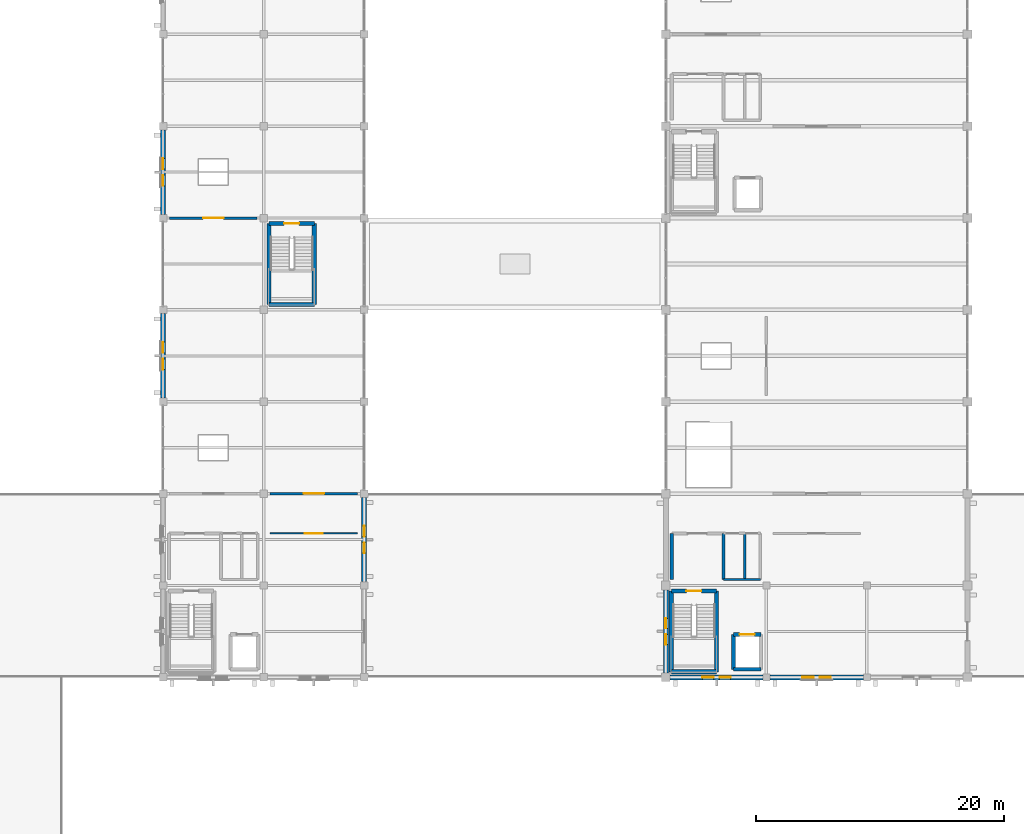
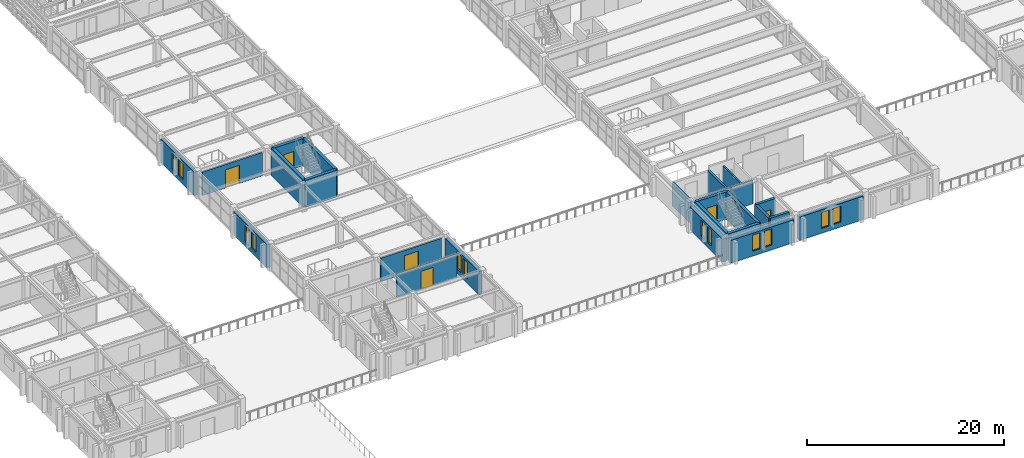
# One storey, part 102 of 121: 24 walls, 12 windows, 6 doors, 18 openings.
"""IFC4 building model written with IfcOpenShell, lengths in metres."""

import ifcopenshell
import ifcopenshell.guid

model = None  # the IFC model being written
_history = None  # IfcOwnerHistory: only IFC2X3 demands one
_inside = {}  # id of a spatial element -> (the spatial element, [elements in it])
_under = {}  # id of a project, library or spatial element -> (it, [spatial elements below it])
_declared = {}  # id of a project -> (the project, [libraries it declares])
_typed = {}  # id of a type object -> (the type object, [elements of that type])
_made_of = {}  # id of a material, layer set ... -> (it, [elements and type objects made of it])


def new_model(schema):
    """Start an empty IFC model of exactly this schema.

    Asked for "IFC4X3", IfcOpenShell would pick the latest addendum, in which some entities
    have other attributes; the version numbers below select the first issue.
    IFC2X3 requires an IfcOwnerHistory on every rooted entity: one is made here for all.
    """
    global model, _history
    if schema == "IFC4X3":
        model = ifcopenshell.file(schema_version=(4, 3, 0, 0))
    else:
        model = ifcopenshell.file(schema=schema)
    _inside.clear()
    _under.clear()
    _declared.clear()
    _typed.clear()
    _made_of.clear()
    _history = None
    if model.schema == "IFC2X3":
        org = make("IfcOrganization", Name="unknown")
        user = make(
            "IfcPersonAndOrganization",
            ThePerson=make("IfcPerson", FamilyName="unknown"),
            TheOrganization=org,
        )
        app = make(
            "IfcApplication",
            ApplicationDeveloper=org,
            Version="unknown",
            ApplicationFullName="unknown",
            ApplicationIdentifier="unknown",
        )
        _history = make(
            "IfcOwnerHistory",
            OwningUser=user,
            OwningApplication=app,
            ChangeAction="ADDED",
            CreationDate=0,
        )
    return model


def make(cls, **values):
    """One entity of the class cls with the attributes given. An attribute that is None is left unset."""
    return model.create_entity(
        cls, **{name: value for name, value in values.items() if value is not None}
    )


def rooted(cls, **values):
    """An entity with a GlobalId (a new one), such as an element, a storey or a relation."""
    return make(cls, GlobalId=ifcopenshell.guid.new(), OwnerHistory=_history, **values)


def si_unit(unit_type, name, prefix=None):
    """IfcSIUnit, for example si_unit("LENGTHUNIT", "METRE", prefix="MILLI")."""
    return make("IfcSIUnit", UnitType=unit_type, Prefix=prefix, Name=name)


def assignment(units):
    """IfcUnitAssignment: the units of a project."""
    return None if units is None else make("IfcUnitAssignment", Units=units)


def point(xyz):
    """IfcCartesianPoint."""
    return None if xyz is None else make("IfcCartesianPoint", Coordinates=xyz)


def direction(xyz):
    """IfcDirection."""
    return None if xyz is None else make("IfcDirection", DirectionRatios=xyz)


def frame(location, z_axis=None, x_axis=None):
    """IfcAxis2Placement3D, a coordinate frame: its origin and axes. An axis left out is left unset."""
    return make(
        "IfcAxis2Placement3D",
        Location=point(location),
        Axis=direction(z_axis),
        RefDirection=direction(x_axis),
    )


def frame_2d(location, x_axis=None):
    """IfcAxis2Placement2D, a coordinate frame in the plane: its origin and x axis."""
    return make(
        "IfcAxis2Placement2D", Location=point(location), RefDirection=direction(x_axis)
    )


def origin():
    """The frame at (0, 0, 0) with its axes left unset."""
    return frame((0.0, 0.0, 0.0))


def place(relative_to, where):
    """IfcLocalPlacement: puts the frame where relative to a parent placement (None: the world)."""
    return make(
        "IfcLocalPlacement", PlacementRelTo=relative_to, RelativePlacement=where
    )


def context(
    kind, dimensions, precision=None, world=None, true_north=None, identifier=None
):
    """IfcGeometricRepresentationContext, for example the 3D "Model" context."""
    return make(
        "IfcGeometricRepresentationContext",
        ContextIdentifier=identifier,
        ContextType=kind,
        CoordinateSpaceDimension=dimensions,
        Precision=precision,
        WorldCoordinateSystem=world,
        TrueNorth=true_north,
    )


def subcontext(parent, identifier, kind, view, scale=None):
    """IfcGeometricRepresentationSubContext, for example "Body" below "Model"."""
    return make(
        "IfcGeometricRepresentationSubContext",
        ContextIdentifier=identifier,
        ContextType=kind,
        ParentContext=parent,
        TargetScale=scale,
        TargetView=view,
    )


def project(units=None, contexts=None):
    """IfcProject with its units and contexts."""
    return rooted(
        "IfcProject",
        Name="project",
        RepresentationContexts=contexts,
        UnitsInContext=assignment(units),
    )


def spatial(cls, under=None, at=None, **own):
    """A site, building, storey or space (cls), placed at a placement, below another one or the project."""
    s = rooted(cls, ObjectPlacement=at, **own)
    if under is not None:
        _under.setdefault(under.id(), (under, []))[1].append(s)
    return s


def profile(cls, at=None, kind="AREA", **sizes):
    """A parametric profile (cls). Its sizes go by their IFC names, for example OverallWidth=200.0."""
    return make(cls, ProfileType=kind, Position=at, **sizes)


def rectangle(**sizes):
    """IfcRectangleProfileDef."""
    return profile("IfcRectangleProfileDef", **sizes)


def extrude(swept, where, along, depth):
    """IfcExtrudedAreaSolid: the profile swept, set in the frame where, extruded along a direction by depth."""
    return make(
        "IfcExtrudedAreaSolid",
        SweptArea=swept,
        Position=where,
        ExtrudedDirection=direction(along),
        Depth=depth,
    )


def shape(context_of_items, identifier, shape_type, items):
    """IfcShapeRepresentation: the items that make up one representation, for example the "Body"."""
    return make(
        "IfcShapeRepresentation",
        ContextOfItems=context_of_items,
        RepresentationIdentifier=identifier,
        RepresentationType=shape_type,
        Items=items,
    )


def material(Name=None, Category=None):
    """IfcMaterial."""
    return make("IfcMaterial", Name=Name, Category=Category)


def layer(
    of_material, thickness, ventilated=None, Name=None, Category=None, Priority=None
):
    """IfcMaterialLayer: one layer of a wall or slab, of a material (None: an air gap)."""
    return make(
        "IfcMaterialLayer",
        Material=of_material,
        LayerThickness=thickness,
        IsVentilated=ventilated,
        Name=Name,
        Category=Category,
        Priority=Priority,
    )


def layer_set(layers, Name=None):
    """IfcMaterialLayerSet."""
    return make("IfcMaterialLayerSet", MaterialLayers=layers, LayerSetName=Name)


def made_of(thing, what):
    """Note that an element or type object is made of a material, layer set ...; save() writes the relation."""
    if what is not None:
        _made_of.setdefault(what.id(), (what, []))[1].append(thing)
    return thing


def type_object(cls, material=None, **own):
    """A type object (cls), such as IfcWallType, which elements share."""
    return made_of(rooted(cls, **own), material)


def element(
    cls,
    number,
    at=None,
    inside=None,
    cuts=None,
    type_object=None,
    material=None,
    context=None,
    identifier="Body",
    shape_type=None,
    held_by="IfcProductDefinitionShape",
    body=None,
    shapes=None,
    **own,
):
    """One element of the class cls, such as IfcWall. Its Tag is "e" and its number.

    at: its placement. inside: the storey or other place that contains it. cuts: it is an
    opening in that element (IfcRelVoidsElement). A single representation is given by context,
    identifier, shape_type and body (its items); several are given by shapes. held_by: the class
    of the entity that holds the representations. save() writes the other relations.
    """
    e = rooted(cls, Tag="e%d" % number, ObjectPlacement=at, **own)
    if body is not None:
        shapes = [shape(context, identifier, shape_type, body)]
    if shapes is not None:
        e.Representation = make(held_by, Representations=shapes)
    if inside is not None:
        _inside.setdefault(inside.id(), (inside, []))[1].append(e)
    if cuts is not None:
        rooted(
            "IfcRelVoidsElement", RelatingBuildingElement=cuts, RelatedOpeningElement=e
        )
    if type_object is not None:
        _typed.setdefault(type_object.id(), (type_object, []))[1].append(e)
    return made_of(e, material)


def fill(opening, filler):
    """IfcRelFillsElement: the door or window that sits in an opening."""
    return rooted(
        "IfcRelFillsElement",
        RelatingOpeningElement=opening,
        RelatedBuildingElement=filler,
    )


def aggregate(whole, parts):
    """IfcRelAggregates: a whole, such as a stair, and the parts it consists of."""
    return rooted("IfcRelAggregates", RelatingObject=whole, RelatedObjects=parts)


def save(model, path):
    """Write the relations noted so far, then the file.

    IfcRelAggregates (storeys below a building ...), IfcRelContainedInSpatialStructure (elements
    in a storey), IfcRelDefinesByType, IfcRelAssociatesMaterial and IfcRelDeclares: one each for
    every whole, place, type object, material and project.
    """
    for whole, parts in _under.values():
        aggregate(whole, parts)
    for where, things in _inside.values():
        rooted(
            "IfcRelContainedInSpatialStructure",
            RelatedElements=things,
            RelatingStructure=where,
        )
    for kind, things in _typed.values():
        rooted("IfcRelDefinesByType", RelatedObjects=things, RelatingType=kind)
    for what, things in _made_of.values():
        rooted("IfcRelAssociatesMaterial", RelatedObjects=things, RelatingMaterial=what)
    for by, libraries in _declared.values():
        rooted("IfcRelDeclares", RelatingContext=by, RelatedDefinitions=libraries)
    model.write(path)


model = new_model("IFC4")

# Units and contexts
model_context = context("Model", 3, precision=1e-05, world=origin(), true_north=direction((0.0, 1.0)))
body_context = subcontext(model_context, "Body", "Model", "MODEL_VIEW")
ifc_project = project(units=[si_unit("LENGTHUNIT", "METRE"), si_unit("AREAUNIT", "SQUARE_METRE"), si_unit("VOLUMEUNIT", "CUBIC_METRE"), si_unit("PLANEANGLEUNIT", "RADIAN"), si_unit("MASSUNIT", "GRAM", prefix="KILO")], contexts=[model_context])

# Site, building, storey
site_placement = place(None, origin())
site = spatial("IfcSite", under=ifc_project, at=site_placement, CompositionType="ELEMENT")
building_placement = place(site_placement, origin())
building = spatial("IfcBuilding", under=site, at=building_placement, Name="Cimatlan Art Gallery", CompositionType="ELEMENT")
storey_placement = place(building_placement, frame((0.0, 0.0, 10.199951171875)))
storey = spatial("IfcBuildingStorey", under=building, at=storey_placement, Name="L02", CompositionType="ELEMENT", Elevation=10.199951171875)

# Walls
ifc_material_1 = material(Name="Concrete C40/50", Category="concrete")
ifc_layer_1 = layer(ifc_material_1, 0.31005859375)
ifc_layer_set_1 = layer_set([ifc_layer_1], Name="Concrete C40/50")
wall_type_1 = type_object("IfcWallType", Name="W-CORE-310", PredefinedType="SHEAR", material=ifc_layer_set_1)
wall_1_placement = place(storey_placement, frame((80.35009765625, 24.550048828125, 0.0), z_axis=(0.0, 0.0, 1.0), x_axis=(0.0, 1.0, 0.0)))
element("IfcWall", 1, at=wall_1_placement, inside=storey, type_object=wall_type_1, Name="WL-SHFT-C3-L02-LW", PredefinedType="SHEAR", context=body_context, shape_type="SweptSolid", body=[
    extrude(rectangle(XDim=2.800048828125, YDim=0.31005859375, at=frame_2d((1.39990234375, 0.0))), origin(), (0.0, 0.0, 1.0), 3.364990234375),
])
wall_2_placement = place(storey_placement, frame((80.35009765625, 24.550048828125, 0.0), z_axis=(0.0, 0.0, 1.0), x_axis=(1.0, 0.0, 0.0)))
element("IfcWall", 2, at=wall_2_placement, inside=storey, type_object=wall_type_1, Name="WL-SHFT-C3-L02-LS", PredefinedType="SHEAR", context=body_context, shape_type="SweptSolid", body=[
    extrude(rectangle(XDim=2.199951171875, YDim=0.31005859375, at=frame_2d((1.10009765625, 0.0))), origin(), (0.0, 0.0, 1.0), 3.364990234375),
])

# Wall, opening, door
wall_3_placement = place(storey_placement, frame((80.35009765625, 27.35009765625, 0.0), z_axis=(0.0, 0.0, 1.0), x_axis=(1.0, 0.0, 0.0)))
wall_3 = element("IfcWall", 3, at=wall_3_placement, inside=storey, type_object=wall_type_1, Name="WL-SHFT-C3-L02-LN", PredefinedType="SHEAR", context=body_context, shape_type="SweptSolid", body=[
    extrude(rectangle(XDim=2.199951171875, YDim=0.31005859375, at=frame_2d((1.10009765625, 0.0))), origin(), (0.0, 0.0, 1.0), 3.364990234375),
])
opening_1_placement = place(wall_3_placement, frame((0.5, 0.0, 0.0)))
opening_1 = element("IfcOpeningElement", 4, at=opening_1_placement, cuts=wall_3, Name="Opening LD-C3-L02", PredefinedType="OPENING", context=body_context, shape_type="SweptSolid", body=[
    extrude(rectangle(XDim=1.199951171875, YDim=2.14990234375, at=frame_2d((0.60009765625, 1.074951171875))), frame((0.0, 0.1650390625, 0.0), z_axis=(0.0, -1.0, 0.0), x_axis=(1.0, 0.0, 0.0)), (0.0, 0.0, 1.0), 0.330078125),
])
ifc_material_2 = material(Name="Fire-rated sliding firefighting lift landing door")
door_type_1 = type_object("IfcDoorType", Name="LD-FF-1200", OperationType="NOTDEFINED", PredefinedType="DOOR", material=ifc_material_2)
door_1_placement = place(opening_1_placement, origin())
door_1 = element("IfcDoor", 5, at=door_1_placement, inside=storey, type_object=door_type_1, Name="LD-FFL-02-L02", OperationType="SLIDING_TO_RIGHT", OverallHeight=2.14990234375, OverallWidth=1.199951171875, PredefinedType="DOOR", context=body_context, shape_type="SweptSolid", body=[
    extrude(rectangle(XDim=1.199951171875, YDim=2.14990234375, at=frame_2d((0.60009765625, 1.074951171875))), frame((0.0, 0.02490234375, 0.0), z_axis=(0.0, -1.0, 0.0), x_axis=(1.0, 0.0, 0.0)), (0.0, 0.0, 1.0), 0.050048828125),
])
fill(opening_1, door_1)

# Walls
ifc_layer_2 = layer(ifc_material_1, 0.35009765625)
ifc_layer_set_2 = layer_set([ifc_layer_2], Name="Concrete C40/50")
wall_type_2 = type_object("IfcWallType", Name="W-CORE-350", PredefinedType="SHEAR", material=ifc_layer_set_2)
wall_4_placement = place(storey_placement, frame((75.340087890625, 24.340087890625, 0.0), z_axis=(0.0, 0.0, 1.0), x_axis=(0.0, 1.0, 0.0)))
element("IfcWall", 6, at=wall_4_placement, inside=storey, type_object=wall_type_2, Name="WL-CORE-C3-L02-SW", PredefinedType="SHEAR", context=body_context, shape_type="SweptSolid", body=[
    extrude(rectangle(XDim=6.52001953125, YDim=0.35009765625, at=frame_2d((3.260009765625, 0.0))), origin(), (0.0, 0.0, 1.0), 3.364990234375),
])
wall_5_placement = place(storey_placement, frame((75.340087890625, 24.340087890625, 0.0), z_axis=(0.0, 0.0, 1.0), x_axis=(1.0, 0.0, 0.0)))
element("IfcWall", 7, at=wall_5_placement, inside=storey, type_object=wall_type_2, Name="WL-CORE-C3-L02-SS", PredefinedType="SHEAR", context=body_context, shape_type="SweptSolid", body=[
    extrude(rectangle(XDim=3.639892578125, YDim=0.35009765625, at=frame_2d((1.81982421875, 0.0))), origin(), (0.0, 0.0, 1.0), 3.364990234375),
])
wall_6_placement = place(storey_placement, frame((78.97998046875, 24.340087890625, 0.0), z_axis=(0.0, 0.0, 1.0), x_axis=(0.0, 1.0, 0.0)))
element("IfcWall", 8, at=wall_6_placement, inside=storey, type_object=wall_type_2, Name="WL-CORE-C3-L02-SE", PredefinedType="SHEAR", context=body_context, shape_type="SweptSolid", body=[
    extrude(rectangle(XDim=6.52001953125, YDim=0.35009765625, at=frame_2d((3.260009765625, 0.0))), origin(), (0.0, 0.0, 1.0), 3.364990234375),
])

# Wall, opening, door
wall_7_placement = place(storey_placement, frame((75.340087890625, 30.860107421875, 0.0), z_axis=(0.0, 0.0, 1.0), x_axis=(1.0, 0.0, 0.0)))
wall_7 = element("IfcWall", 9, at=wall_7_placement, inside=storey, type_object=wall_type_2, Name="WL-CORE-C3-L02-SN", PredefinedType="SHEAR", context=body_context, shape_type="SweptSolid", body=[
    extrude(rectangle(XDim=3.639892578125, YDim=0.35009765625, at=frame_2d((1.81982421875, 0.0))), origin(), (0.0, 0.0, 1.0), 3.364990234375),
])
opening_2_placement = place(wall_7_placement, frame((1.219970703125, 0.0, 0.0)))
opening_2 = element("IfcOpeningElement", 10, at=opening_2_placement, cuts=wall_7, Name="Opening FD-C3-L02", PredefinedType="OPENING", context=body_context, shape_type="SweptSolid", body=[
    extrude(rectangle(XDim=1.199951171875, YDim=2.14990234375, at=frame_2d((0.60009765625, 1.074951171875))), frame((0.0, 0.18505859375, 0.0), z_axis=(0.0, -1.0, 0.0), x_axis=(1.0, 0.0, 0.0)), (0.0, 0.0, 1.0), 0.3701171875),
])
ifc_material_3 = material(Name="Fire-resisting steel acoustic stair door", Category="steel")
door_type_2 = type_object("IfcDoorType", Name="FD-ST-1200", OperationType="NOTDEFINED", PredefinedType="DOOR", material=ifc_material_3)
door_2_placement = place(opening_2_placement, origin())
door_2 = element("IfcDoor", 11, at=door_2_placement, inside=storey, type_object=door_type_2, Name="DR-C3-L02-ST", OperationType="SINGLE_SWING_LEFT", OverallHeight=2.14990234375, OverallWidth=1.199951171875, PredefinedType="DOOR", context=body_context, shape_type="SweptSolid", body=[
    extrude(rectangle(XDim=1.199951171875, YDim=2.14990234375, at=frame_2d((0.60009765625, 1.074951171875))), frame((0.0, 0.02490234375, 0.0), z_axis=(0.0, -1.0, 0.0), x_axis=(1.0, 0.0, 0.0)), (0.0, 0.0, 1.0), 0.050048828125),
])
fill(opening_2, door_2)

# Walls
wall_8_placement = place(storey_placement, frame((42.93994140625, 53.93994140625, 0.0), z_axis=(0.0, 0.0, 1.0), x_axis=(0.0, 1.0, 0.0)))
element("IfcWall", 12, at=wall_8_placement, inside=storey, type_object=wall_type_2, Name="WL-CORE-C8-L02-SW", PredefinedType="SHEAR", context=body_context, shape_type="SweptSolid", body=[
    extrude(rectangle(XDim=6.52001953125, YDim=0.35009765625, at=frame_2d((3.260009765625, 0.0))), origin(), (0.0, 0.0, 1.0), 3.364990234375),
])
wall_9_placement = place(storey_placement, frame((42.93994140625, 53.93994140625, 0.0), z_axis=(0.0, 0.0, 1.0), x_axis=(1.0, 0.0, 0.0)))
element("IfcWall", 13, at=wall_9_placement, inside=storey, type_object=wall_type_2, Name="WL-CORE-C8-L02-SS", PredefinedType="SHEAR", context=body_context, shape_type="SweptSolid", body=[
    extrude(rectangle(XDim=3.64013671875, YDim=0.35009765625, at=frame_2d((1.820068359375, 0.0))), origin(), (0.0, 0.0, 1.0), 3.364990234375),
])
wall_10_placement = place(storey_placement, frame((46.580078125, 53.93994140625, 0.0), z_axis=(0.0, 0.0, 1.0), x_axis=(0.0, 1.0, 0.0)))
element("IfcWall", 14, at=wall_10_placement, inside=storey, type_object=wall_type_2, Name="WL-CORE-C8-L02-SE", PredefinedType="SHEAR", context=body_context, shape_type="SweptSolid", body=[
    extrude(rectangle(XDim=6.52001953125, YDim=0.35009765625, at=frame_2d((3.260009765625, 0.0))), origin(), (0.0, 0.0, 1.0), 3.364990234375),
])

# Wall, opening, door
wall_11_placement = place(storey_placement, frame((42.93994140625, 60.4599609375, 0.0), z_axis=(0.0, 0.0, 1.0), x_axis=(1.0, 0.0, 0.0)))
wall_11 = element("IfcWall", 15, at=wall_11_placement, inside=storey, type_object=wall_type_2, Name="WL-CORE-C8-L02-SN", PredefinedType="SHEAR", context=body_context, shape_type="SweptSolid", body=[
    extrude(rectangle(XDim=3.64013671875, YDim=0.35009765625, at=frame_2d((1.820068359375, 0.0))), origin(), (0.0, 0.0, 1.0), 3.364990234375),
])
opening_3_placement = place(wall_11_placement, frame((1.219970703125, 0.0, 0.0)))
opening_3 = element("IfcOpeningElement", 16, at=opening_3_placement, cuts=wall_11, Name="Opening FD-C8-L02", PredefinedType="OPENING", context=body_context, shape_type="SweptSolid", body=[
    extrude(rectangle(XDim=1.199951171875, YDim=2.14990234375, at=frame_2d((0.60009765625, 1.074951171875))), frame((0.0, 0.18505859375, 0.0), z_axis=(0.0, -1.0, 0.0), x_axis=(1.0, 0.0, 0.0)), (0.0, 0.0, 1.0), 0.3701171875),
])
door_3_placement = place(opening_3_placement, origin())
door_3 = element("IfcDoor", 17, at=door_3_placement, inside=storey, type_object=door_type_2, Name="DR-C8-L02-ST", OperationType="SINGLE_SWING_LEFT", OverallHeight=2.14990234375, OverallWidth=1.199951171875, PredefinedType="DOOR", context=body_context, shape_type="SweptSolid", body=[
    extrude(rectangle(XDim=1.199951171875, YDim=2.14990234375, at=frame_2d((0.60009765625, 1.074951171875))), frame((0.0, 0.02490234375, 0.0), z_axis=(0.0, -1.0, 0.0), x_axis=(1.0, 0.0, 0.0)), (0.0, 0.0, 1.0), 0.050048828125),
])
fill(opening_3, door_3)

# Walls
ifc_material_4 = material(Name="Precast concrete C40/50", Category="concrete")
ifc_layer_3 = layer(ifc_material_4, 0.2451171875)
ifc_layer_set_3 = layer_set([ifc_layer_3], Name="Precast concrete C40/50")
wall_type_3 = type_object("IfcWallType", Name="W-FFL-245", PredefinedType="PARTITIONING", material=ifc_layer_set_3)
wall_12_placement = place(storey_placement, frame((75.3798828125, 31.780029296875, 0.0), z_axis=(0.0, 0.0, 1.0), x_axis=(0.0, 1.0, 0.0)))
element("IfcWall", 18, at=wall_12_placement, inside=storey, type_object=wall_type_3, Name="WL-LOB-C3-L02-W", PredefinedType="PARTITIONING", context=body_context, shape_type="SweptSolid", body=[
    extrude(rectangle(XDim=3.719970703125, YDim=0.2451171875, at=frame_2d((1.85986328125, 0.0))), origin(), (0.0, 0.0, 1.0), 2.8271484375),
])
wall_13_placement = place(storey_placement, frame((79.550048828125, 31.780029296875, 0.0), z_axis=(0.0, 0.0, 1.0), x_axis=(0.0, 1.0, 0.0)))
element("IfcWall", 19, at=wall_13_placement, inside=storey, type_object=wall_type_3, Name="WL-LOB-C3-L02-M", PredefinedType="PARTITIONING", context=body_context, shape_type="SweptSolid", body=[
    extrude(rectangle(XDim=3.719970703125, YDim=0.2451171875, at=frame_2d((1.85986328125, 0.0))), origin(), (0.0, 0.0, 1.0), 2.903076171875),
])

# Wall, opening, door
ifc_material_5 = material(Name="Acoustic gypsum and steel stud partition", Category="steel")
ifc_layer_4 = layer(ifc_material_5, 0.205078125)
ifc_layer_set_4 = layer_set([ifc_layer_4], Name="Acoustic gypsum and steel stud partition")
wall_type_4 = type_object("IfcWallType", Name="W-GAL-205", PredefinedType="PARTITIONING", material=ifc_layer_set_4)
wall_14_placement = place(storey_placement, frame((43.02001953125, 38.699951171875, 0.0), z_axis=(0.0, 0.0, 1.0), x_axis=(1.0, 0.0, 0.0)))
wall_14 = element("IfcWall", 20, at=wall_14_placement, inside=storey, type_object=wall_type_4, Name="WL-RM-L02-GAL-W1B", PredefinedType="PARTITIONING", context=body_context, shape_type="SweptSolid", body=[
    extrude(rectangle(XDim=7.06005859375, YDim=0.205078125, at=frame_2d((3.530029296875, 0.0))), origin(), (0.0, 0.0, 1.0), 2.903076171875),
])
opening_4_placement = place(wall_14_placement, frame((2.705078125, 0.0, 0.0)))
opening_4 = element("IfcOpeningElement", 21, at=opening_4_placement, cuts=wall_14, Name="Opening DI-0227", PredefinedType="OPENING", context=body_context, shape_type="SweptSolid", body=[
    extrude(rectangle(XDim=1.64990234375, YDim=2.25, at=frame_2d((0.824951171875, 1.125))), frame((0.0, 0.112548828125, 0.0), z_axis=(0.0, -1.0, 0.0), x_axis=(1.0, 0.0, 0.0)), (0.0, 0.0, 1.0), 0.22509765625),
])
ifc_material_6 = material(Name="European oak gallery double door")
door_type_3 = type_object("IfcDoorType", Name="DI-GL-1650", OperationType="NOTDEFINED", PredefinedType="DOOR", material=ifc_material_6)
door_4_placement = place(opening_4_placement, origin())
door_4 = element("IfcDoor", 22, at=door_4_placement, inside=storey, type_object=door_type_3, Name="DR-RM-L02-GAL-W1B", OperationType="SINGLE_SWING_LEFT", OverallHeight=2.25, OverallWidth=1.64990234375, PredefinedType="DOOR", context=body_context, shape_type="SweptSolid", body=[
    extrude(rectangle(XDim=1.64990234375, YDim=2.25, at=frame_2d((0.824951171875, 1.125))), frame((0.0, 0.02490234375, 0.0), z_axis=(0.0, -1.0, 0.0), x_axis=(1.0, 0.0, 0.0)), (0.0, 0.0, 1.0), 0.050048828125),
])
fill(opening_4, door_4)

wall_15_placement = place(storey_placement, frame((34.919921875, 60.89990234375, 0.0), z_axis=(0.0, 0.0, 1.0), x_axis=(1.0, 0.0, 0.0)))
wall_15 = element("IfcWall", 23, at=wall_15_placement, inside=storey, type_object=wall_type_4, Name="WL-RM-L02-GAL-W2", PredefinedType="PARTITIONING", context=body_context, shape_type="SweptSolid", body=[
    extrude(rectangle(XDim=7.06005859375, YDim=0.205078125, at=frame_2d((3.530029296875, 0.0))), origin(), (0.0, 0.0, 1.0), 2.903076171875),
])
opening_5_placement = place(wall_15_placement, frame((2.705078125, 0.0, 0.0)))
opening_5 = element("IfcOpeningElement", 24, at=opening_5_placement, cuts=wall_15, Name="Opening DI-0228", PredefinedType="OPENING", context=body_context, shape_type="SweptSolid", body=[
    extrude(rectangle(XDim=1.64990234375, YDim=2.25, at=frame_2d((0.824951171875, 1.125))), frame((0.0, 0.112548828125, 0.0), z_axis=(0.0, -1.0, 0.0), x_axis=(1.0, 0.0, 0.0)), (0.0, 0.0, 1.0), 0.22509765625),
])
door_5_placement = place(opening_5_placement, origin())
door_5 = element("IfcDoor", 25, at=door_5_placement, inside=storey, type_object=door_type_3, Name="DR-RM-L02-GAL-W2", OperationType="SINGLE_SWING_RIGHT", OverallHeight=2.25, OverallWidth=1.64990234375, PredefinedType="DOOR", context=body_context, shape_type="SweptSolid", body=[
    extrude(rectangle(XDim=1.64990234375, YDim=2.25, at=frame_2d((0.824951171875, 1.125))), frame((0.0, 0.02490234375, 0.0), z_axis=(0.0, -1.0, 0.0), x_axis=(1.0, 0.0, 0.0)), (0.0, 0.0, 1.0), 0.050048828125),
])
fill(opening_5, door_5)

ifc_material_7 = material(Name="Fire-rated gypsum board and steel stud partition", Category="steel")
ifc_layer_5 = layer(ifc_material_7, 0.139892578125)
ifc_layer_set_5 = layer_set([ifc_layer_5], Name="Fire-rated gypsum board and steel stud partition")
wall_type_5 = type_object("IfcWallType", Name="W-OFF-140", PredefinedType="PARTITIONING", material=ifc_layer_set_5)
wall_16_placement = place(storey_placement, frame((43.02001953125, 35.5, 0.0), z_axis=(0.0, 0.0, 1.0), x_axis=(1.0, 0.0, 0.0)))
wall_16 = element("IfcWall", 26, at=wall_16_placement, inside=storey, type_object=wall_type_5, Name="WL-RM-L02-LIB-W", PredefinedType="PARTITIONING", context=body_context, shape_type="SweptSolid", body=[
    extrude(rectangle(XDim=7.06005859375, YDim=0.139892578125, at=frame_2d((3.530029296875, 0.0))), origin(), (0.0, 0.0, 1.0), 2.903076171875),
])
opening_6_placement = place(wall_16_placement, frame((2.804931640625, 0.0, 0.0)))
opening_6 = element("IfcOpeningElement", 27, at=opening_6_placement, cuts=wall_16, Name="Opening DI-0225", PredefinedType="OPENING", context=body_context, shape_type="SweptSolid", body=[
    extrude(rectangle(XDim=1.449951171875, YDim=2.199951171875, at=frame_2d((0.72509765625, 1.10009765625))), frame((0.0, 0.080078125, 0.0), z_axis=(0.0, -1.0, 0.0), x_axis=(1.0, 0.0, 0.0)), (0.0, 0.0, 1.0), 0.159912109375),
])
ifc_material_8 = material(Name="Glazed bronze art-library door")
door_type_4 = type_object("IfcDoorType", Name="DI-LB-1450", OperationType="NOTDEFINED", PredefinedType="DOOR", material=ifc_material_8)
door_6_placement = place(opening_6_placement, origin())
door_6 = element("IfcDoor", 28, at=door_6_placement, inside=storey, type_object=door_type_4, Name="DR-RM-L02-LIB-W", OperationType="SINGLE_SWING_LEFT", OverallHeight=2.199951171875, OverallWidth=1.449951171875, PredefinedType="DOOR", context=body_context, shape_type="SweptSolid", body=[
    extrude(rectangle(XDim=1.449951171875, YDim=2.199951171875, at=frame_2d((0.72509765625, 1.10009765625))), frame((0.0, 0.02490234375, 0.0), z_axis=(0.0, -1.0, 0.0), x_axis=(1.0, 0.0, 0.0)), (0.0, 0.0, 1.0), 0.050048828125),
])
fill(opening_6, door_6)

# Walls
ifc_material_9 = material(Name="Moisture-resistant fire-rated plumbing wall")
ifc_layer_6 = layer(ifc_material_9, 0.195068359375)
ifc_layer_set_6 = layer_set([ifc_layer_6], Name="Moisture-resistant fire-rated plumbing wall")
wall_type_6 = type_object("IfcWallType", Name="W-PLM-195", PredefinedType="PARTITIONING", material=ifc_layer_set_6)
wall_17_placement = place(storey_placement, frame((81.25, 31.780029296875, 0.0), z_axis=(0.0, 0.0, 1.0), x_axis=(0.0, 1.0, 0.0)))
element("IfcWall", 29, at=wall_17_placement, inside=storey, type_object=wall_type_6, Name="WL-LOB-C3-L02-D", PredefinedType="PARTITIONING", context=body_context, shape_type="SweptSolid", body=[
    extrude(rectangle(XDim=3.719970703125, YDim=0.195068359375, at=frame_2d((1.85986328125, 0.0))), origin(), (0.0, 0.0, 1.0), 2.903076171875),
])
wall_18_placement = place(storey_placement, frame((79.550048828125, 31.780029296875, 0.0), z_axis=(0.0, 0.0, 1.0), x_axis=(1.0, 0.0, 0.0)))
element("IfcWall", 30, at=wall_18_placement, inside=storey, type_object=wall_type_6, Name="WL-LOB-C3-L02-S", PredefinedType="PARTITIONING", context=body_context, shape_type="SweptSolid", body=[
    extrude(rectangle(XDim=2.969970703125, YDim=0.195068359375, at=frame_2d((1.48486328125, 0.0))), origin(), (0.0, 0.0, 1.0), 2.903076171875),
])

# Wall, openings, windows
ifc_layer_7 = layer(ifc_material_4, 0.39990234375)
ifc_layer_set_7 = layer_set([ifc_layer_7], Name="Precast concrete C40/50")
wall_type_7 = type_object("IfcWallType", Name="WL-EXT-CAN-400", PredefinedType="SOLIDWALL", material=ifc_layer_set_7)
wall_19_placement = place(storey_placement, frame((34.39990234375, 46.404052734375, 0.0), z_axis=(0.0, 0.0, 1.0), x_axis=(0.0, 1.0, 0.0)))
wall_19 = element("IfcWall", 31, at=wall_19_placement, inside=storey, type_object=wall_type_7, Name="WL-EXT-L02-04-06-W", PredefinedType="SOLIDWALL", context=body_context, shape_type="SweptSolid", body=[
    extrude(rectangle(XDim=6.7919921875, YDim=0.39990234375, at=frame_2d((3.39599609375, 0.0))), origin(), (0.0, 0.0, 1.0), 2.89794921875),
])
opening_7_placement = place(wall_19_placement, frame((2.2958984375, 0.0, 0.60009765625)))
opening_7 = element("IfcOpeningElement", 32, at=opening_7_placement, cuts=wall_19, Name="Opening WN-0147", PredefinedType="OPENING", context=body_context, shape_type="SweptSolid", body=[
    extrude(rectangle(XDim=0.860107421875, YDim=1.989990234375, at=frame_2d((0.43017578125, 0.9951171875))), frame((0.0, 0.2099609375, 0.0), z_axis=(0.0, -1.0, 0.0), x_axis=(1.0, 0.0, 0.0)), (0.0, 0.0, 1.0), 0.419921875),
])
opening_8_placement = place(wall_19_placement, frame((3.635986328125, 0.0, 0.60009765625)))
opening_8 = element("IfcOpeningElement", 33, at=opening_8_placement, cuts=wall_19, Name="Opening WN-0148", PredefinedType="OPENING", context=body_context, shape_type="SweptSolid", body=[
    extrude(rectangle(XDim=0.860107421875, YDim=1.989990234375, at=frame_2d((0.43017578125, 0.9951171875))), frame((0.0, 0.2099609375, 0.0), z_axis=(0.0, -1.0, 0.0), x_axis=(1.0, 0.0, 0.0)), (0.0, 0.0, 1.0), 0.419921875),
])
ifc_material_10 = material(Name="Low-E laminated double glazing in bronze lancet frame", Category="glass")
window_type_1 = type_object("IfcWindowType", Name="WIN-PAV-W2-0860X1990", PartitioningType="SINGLE_PANEL", PredefinedType="WINDOW", material=ifc_material_10)
window_1_placement = place(opening_7_placement, origin())
window_1 = element("IfcWindow", 34, at=window_1_placement, inside=storey, type_object=window_type_1, Name="WIN-0147", OverallHeight=1.989990234375, OverallWidth=0.860107421875, PartitioningType="SINGLE_PANEL", PredefinedType="WINDOW", context=body_context, shape_type="SweptSolid", body=[
    extrude(rectangle(XDim=0.860107421875, YDim=1.989990234375, at=frame_2d((0.43017578125, 0.9951171875))), frame((0.0, 0.030029296875, 0.0), z_axis=(0.0, -1.0, 0.0), x_axis=(1.0, 0.0, 0.0)), (0.0, 0.0, 1.0), 0.06005859375),
])
fill(opening_7, window_1)
window_2_placement = place(opening_8_placement, origin())
window_2 = element("IfcWindow", 35, at=window_2_placement, inside=storey, type_object=window_type_1, Name="WIN-0148", OverallHeight=1.989990234375, OverallWidth=0.860107421875, PartitioningType="SINGLE_PANEL", PredefinedType="WINDOW", context=body_context, shape_type="SweptSolid", body=[
    extrude(rectangle(XDim=0.860107421875, YDim=1.989990234375, at=frame_2d((0.43017578125, 0.9951171875))), frame((0.0, 0.030029296875, 0.0), z_axis=(0.0, -1.0, 0.0), x_axis=(1.0, 0.0, 0.0)), (0.0, 0.0, 1.0), 0.06005859375),
])
fill(opening_8, window_2)

wall_20_placement = place(storey_placement, frame((34.39990234375, 61.2041015625, 0.0), z_axis=(0.0, 0.0, 1.0), x_axis=(0.0, 1.0, 0.0)))
wall_20 = element("IfcWall", 36, at=wall_20_placement, inside=storey, type_object=wall_type_7, Name="WL-EXT-L02-04-08-W", PredefinedType="SOLIDWALL", context=body_context, shape_type="SweptSolid", body=[
    extrude(rectangle(XDim=6.7919921875, YDim=0.39990234375, at=frame_2d((3.39599609375, 0.0))), origin(), (0.0, 0.0, 1.0), 2.89794921875),
])
opening_9_placement = place(wall_20_placement, frame((2.2958984375, 0.0, 0.60009765625)))
opening_9 = element("IfcOpeningElement", 37, at=opening_9_placement, cuts=wall_20, Name="Opening WN-0149", PredefinedType="OPENING", context=body_context, shape_type="SweptSolid", body=[
    extrude(rectangle(XDim=0.860107421875, YDim=1.989990234375, at=frame_2d((0.43017578125, 0.9951171875))), frame((0.0, 0.2099609375, 0.0), z_axis=(0.0, -1.0, 0.0), x_axis=(1.0, 0.0, 0.0)), (0.0, 0.0, 1.0), 0.419921875),
])
opening_10_placement = place(wall_20_placement, frame((3.635986328125, 0.0, 0.60009765625)))
opening_10 = element("IfcOpeningElement", 38, at=opening_10_placement, cuts=wall_20, Name="Opening WN-0150", PredefinedType="OPENING", context=body_context, shape_type="SweptSolid", body=[
    extrude(rectangle(XDim=0.860107421875, YDim=1.989990234375, at=frame_2d((0.43017578125, 0.9951171875))), frame((0.0, 0.2099609375, 0.0), z_axis=(0.0, -1.0, 0.0), x_axis=(1.0, 0.0, 0.0)), (0.0, 0.0, 1.0), 0.419921875),
])
window_3_placement = place(opening_9_placement, origin())
window_3 = element("IfcWindow", 39, at=window_3_placement, inside=storey, type_object=window_type_1, Name="WIN-0149", OverallHeight=1.989990234375, OverallWidth=0.860107421875, PartitioningType="SINGLE_PANEL", PredefinedType="WINDOW", context=body_context, shape_type="SweptSolid", body=[
    extrude(rectangle(XDim=0.860107421875, YDim=1.989990234375, at=frame_2d((0.43017578125, 0.9951171875))), frame((0.0, 0.030029296875, 0.0), z_axis=(0.0, -1.0, 0.0), x_axis=(1.0, 0.0, 0.0)), (0.0, 0.0, 1.0), 0.06005859375),
])
fill(opening_9, window_3)
window_4_placement = place(opening_10_placement, origin())
window_4 = element("IfcWindow", 40, at=window_4_placement, inside=storey, type_object=window_type_1, Name="WIN-0150", OverallHeight=1.989990234375, OverallWidth=0.860107421875, PartitioningType="SINGLE_PANEL", PredefinedType="WINDOW", context=body_context, shape_type="SweptSolid", body=[
    extrude(rectangle(XDim=0.860107421875, YDim=1.989990234375, at=frame_2d((0.43017578125, 0.9951171875))), frame((0.0, 0.030029296875, 0.0), z_axis=(0.0, -1.0, 0.0), x_axis=(1.0, 0.0, 0.0)), (0.0, 0.0, 1.0), 0.06005859375),
])
fill(opening_10, window_4)

wall_21_placement = place(storey_placement, frame((50.60009765625, 38.39599609375, 0.0), z_axis=(0.0, 0.0, 1.0), x_axis=(0.0, -1.0, 0.0)))
wall_21 = element("IfcWall", 41, at=wall_21_placement, inside=storey, type_object=wall_type_7, Name="WL-EXT-L02-05-04-E", PredefinedType="SOLIDWALL", context=body_context, shape_type="SweptSolid", body=[
    extrude(rectangle(XDim=6.7919921875, YDim=0.39990234375, at=frame_2d((3.39599609375, 0.0))), origin(), (0.0, 0.0, 1.0), 2.89794921875),
])
opening_11_placement = place(wall_21_placement, frame((2.2958984375, 0.0, 0.60009765625)))
opening_11 = element("IfcOpeningElement", 42, at=opening_11_placement, cuts=wall_21, Name="Opening WN-0157", PredefinedType="OPENING", context=body_context, shape_type="SweptSolid", body=[
    extrude(rectangle(XDim=0.860107421875, YDim=2.050048828125, at=frame_2d((0.43017578125, 1.02490234375))), frame((0.0, 0.2099609375, 0.0), z_axis=(0.0, -1.0, 0.0), x_axis=(1.0, 0.0, 0.0)), (0.0, 0.0, 1.0), 0.419921875),
])
opening_12_placement = place(wall_21_placement, frame((3.635986328125, 0.0, 0.60009765625)))
opening_12 = element("IfcOpeningElement", 43, at=opening_12_placement, cuts=wall_21, Name="Opening WN-0158", PredefinedType="OPENING", context=body_context, shape_type="SweptSolid", body=[
    extrude(rectangle(XDim=0.860107421875, YDim=2.050048828125, at=frame_2d((0.43017578125, 1.02490234375))), frame((0.0, 0.2099609375, 0.0), z_axis=(0.0, -1.0, 0.0), x_axis=(1.0, 0.0, 0.0)), (0.0, 0.0, 1.0), 0.419921875),
])
window_type_2 = type_object("IfcWindowType", Name="WIN-E-L02-0860X2050", PartitioningType="SINGLE_PANEL", PredefinedType="WINDOW", material=ifc_material_10)
window_5_placement = place(opening_11_placement, origin())
window_5 = element("IfcWindow", 44, at=window_5_placement, inside=storey, type_object=window_type_2, Name="WIN-0157", OverallHeight=2.050048828125, OverallWidth=0.860107421875, PartitioningType="SINGLE_PANEL", PredefinedType="WINDOW", context=body_context, shape_type="SweptSolid", body=[
    extrude(rectangle(XDim=0.860107421875, YDim=2.050048828125, at=frame_2d((0.43017578125, 1.02490234375))), frame((0.0, 0.030029296875, 0.0), z_axis=(0.0, -1.0, 0.0), x_axis=(1.0, 0.0, 0.0)), (0.0, 0.0, 1.0), 0.06005859375),
])
fill(opening_11, window_5)
window_6_placement = place(opening_12_placement, origin())
window_6 = element("IfcWindow", 45, at=window_6_placement, inside=storey, type_object=window_type_2, Name="WIN-0158", OverallHeight=2.050048828125, OverallWidth=0.860107421875, PartitioningType="SINGLE_PANEL", PredefinedType="WINDOW", context=body_context, shape_type="SweptSolid", body=[
    extrude(rectangle(XDim=0.860107421875, YDim=2.050048828125, at=frame_2d((0.43017578125, 1.02490234375))), frame((0.0, 0.030029296875, 0.0), z_axis=(0.0, -1.0, 0.0), x_axis=(1.0, 0.0, 0.0)), (0.0, 0.0, 1.0), 0.06005859375),
])
fill(opening_12, window_6)

wall_22_placement = place(storey_placement, frame((82.720947265625, 23.89990234375, 0.0), z_axis=(0.0, 0.0, 1.0), x_axis=(-1.0, 0.0, 0.0)))
wall_22 = element("IfcWall", 46, at=wall_22_placement, inside=storey, type_object=wall_type_7, Name="WL-EXT-L02-09-03-S", PredefinedType="SOLIDWALL", context=body_context, shape_type="SweptSolid", body=[
    extrude(rectangle(XDim=7.467041015625, YDim=0.39990234375, at=frame_2d((3.7333984375, 0.0))), origin(), (0.0, 0.0, 1.0), 2.822021484375),
])
opening_13_placement = place(wall_22_placement, frame((2.593505859375, 0.0, 0.60009765625)))
opening_13 = element("IfcOpeningElement", 47, at=opening_13_placement, cuts=wall_22, Name="Opening WN-0159", PredefinedType="OPENING", context=body_context, shape_type="SweptSolid", body=[
    extrude(rectangle(XDim=0.89990234375, YDim=1.97998046875, at=frame_2d((0.449951171875, 0.989990234375))), frame((0.0, 0.2099609375, 0.0), z_axis=(0.0, -1.0, 0.0), x_axis=(1.0, 0.0, 0.0)), (0.0, 0.0, 1.0), 0.419921875),
])
opening_14_placement = place(wall_22_placement, frame((3.973388671875, 0.0, 0.60009765625)))
opening_14 = element("IfcOpeningElement", 48, at=opening_14_placement, cuts=wall_22, Name="Opening WN-0160", PredefinedType="OPENING", context=body_context, shape_type="SweptSolid", body=[
    extrude(rectangle(XDim=0.89990234375, YDim=1.97998046875, at=frame_2d((0.449951171875, 0.989990234375))), frame((0.0, 0.2099609375, 0.0), z_axis=(0.0, -1.0, 0.0), x_axis=(1.0, 0.0, 0.0)), (0.0, 0.0, 1.0), 0.419921875),
])
window_type_3 = type_object("IfcWindowType", Name="WIN-S-L02-0900X1980", PartitioningType="SINGLE_PANEL", PredefinedType="WINDOW", material=ifc_material_10)
window_7_placement = place(opening_13_placement, origin())
window_7 = element("IfcWindow", 49, at=window_7_placement, inside=storey, type_object=window_type_3, Name="WIN-0159", OverallHeight=1.97998046875, OverallWidth=0.89990234375, PartitioningType="SINGLE_PANEL", PredefinedType="WINDOW", context=body_context, shape_type="SweptSolid", body=[
    extrude(rectangle(XDim=0.89990234375, YDim=1.97998046875, at=frame_2d((0.449951171875, 0.989990234375))), frame((0.0, 0.030029296875, 0.0), z_axis=(0.0, -1.0, 0.0), x_axis=(1.0, 0.0, 0.0)), (0.0, 0.0, 1.0), 0.06005859375),
])
fill(opening_13, window_7)
window_8_placement = place(opening_14_placement, origin())
window_8 = element("IfcWindow", 50, at=window_8_placement, inside=storey, type_object=window_type_3, Name="WIN-0160", OverallHeight=1.97998046875, OverallWidth=0.89990234375, PartitioningType="SINGLE_PANEL", PredefinedType="WINDOW", context=body_context, shape_type="SweptSolid", body=[
    extrude(rectangle(XDim=0.89990234375, YDim=1.97998046875, at=frame_2d((0.449951171875, 0.989990234375))), frame((0.0, 0.030029296875, 0.0), z_axis=(0.0, -1.0, 0.0), x_axis=(1.0, 0.0, 0.0)), (0.0, 0.0, 1.0), 0.06005859375),
])
fill(opening_14, window_8)

wall_23_placement = place(storey_placement, frame((74.89990234375, 24.25390625, 0.0), z_axis=(0.0, 0.0, 1.0), x_axis=(0.0, 1.0, 0.0)))
wall_23 = element("IfcWall", 51, at=wall_23_placement, inside=storey, type_object=wall_type_7, Name="WL-EXT-L02-09-03-W", PredefinedType="SOLIDWALL", context=body_context, shape_type="SweptSolid", body=[
    extrude(rectangle(XDim=6.692138671875, YDim=0.39990234375, at=frame_2d((3.34619140625, 0.0))), origin(), (0.0, 0.0, 1.0), 2.822021484375),
])
opening_15_placement = place(wall_23_placement, frame((2.285888671875, 0.0, 0.60009765625)))
opening_15 = element("IfcOpeningElement", 52, at=opening_15_placement, cuts=wall_23, Name="Opening WN-0161", PredefinedType="OPENING", context=body_context, shape_type="SweptSolid", body=[
    extrude(rectangle(XDim=0.820068359375, YDim=2.0, at=frame_2d((0.41015625, 1.0))), frame((0.0, 0.2099609375, 0.0), z_axis=(0.0, -1.0, 0.0), x_axis=(1.0, 0.0, 0.0)), (0.0, 0.0, 1.0), 0.419921875),
])
opening_16_placement = place(wall_23_placement, frame((3.5859375, 0.0, 0.60009765625)))
opening_16 = element("IfcOpeningElement", 53, at=opening_16_placement, cuts=wall_23, Name="Opening WN-0162", PredefinedType="OPENING", context=body_context, shape_type="SweptSolid", body=[
    extrude(rectangle(XDim=0.820068359375, YDim=2.0, at=frame_2d((0.41015625, 1.0))), frame((0.0, 0.2099609375, 0.0), z_axis=(0.0, -1.0, 0.0), x_axis=(1.0, 0.0, 0.0)), (0.0, 0.0, 1.0), 0.419921875),
])
window_type_4 = type_object("IfcWindowType", Name="WIN-W-L02-0820X2000", PartitioningType="SINGLE_PANEL", PredefinedType="WINDOW", material=ifc_material_10)
window_9_placement = place(opening_15_placement, origin())
window_9 = element("IfcWindow", 54, at=window_9_placement, inside=storey, type_object=window_type_4, Name="WIN-0161", OverallHeight=2.0, OverallWidth=0.820068359375, PartitioningType="SINGLE_PANEL", PredefinedType="WINDOW", context=body_context, shape_type="SweptSolid", body=[
    extrude(rectangle(XDim=0.820068359375, YDim=2.0, at=frame_2d((0.41015625, 1.0))), frame((0.0, 0.030029296875, 0.0), z_axis=(0.0, -1.0, 0.0), x_axis=(1.0, 0.0, 0.0)), (0.0, 0.0, 1.0), 0.06005859375),
])
fill(opening_15, window_9)
window_10_placement = place(opening_16_placement, origin())
window_10 = element("IfcWindow", 55, at=window_10_placement, inside=storey, type_object=window_type_4, Name="WIN-0162", OverallHeight=2.0, OverallWidth=0.820068359375, PartitioningType="SINGLE_PANEL", PredefinedType="WINDOW", context=body_context, shape_type="SweptSolid", body=[
    extrude(rectangle(XDim=0.820068359375, YDim=2.0, at=frame_2d((0.41015625, 1.0))), frame((0.0, 0.030029296875, 0.0), z_axis=(0.0, -1.0, 0.0), x_axis=(1.0, 0.0, 0.0)), (0.0, 0.0, 1.0), 0.06005859375),
])
fill(opening_16, window_10)

wall_24_placement = place(storey_placement, frame((90.821044921875, 23.89990234375, 0.0), z_axis=(0.0, 0.0, 1.0), x_axis=(-1.0, 0.0, 0.0)))
wall_24 = element("IfcWall", 56, at=wall_24_placement, inside=storey, type_object=wall_type_7, Name="WL-EXT-L02-10-03-S", PredefinedType="SOLIDWALL", context=body_context, shape_type="SweptSolid", body=[
    extrude(rectangle(XDim=7.5419921875, YDim=0.39990234375, at=frame_2d((3.77099609375, 0.0))), origin(), (0.0, 0.0, 1.0), 2.89794921875),
])
opening_17_placement = place(wall_24_placement, frame((2.631103515625, 0.0, 0.60009765625)))
opening_17 = element("IfcOpeningElement", 57, at=opening_17_placement, cuts=wall_24, Name="Opening WN-0163", PredefinedType="OPENING", context=body_context, shape_type="SweptSolid", body=[
    extrude(rectangle(XDim=0.89990234375, YDim=1.97998046875, at=frame_2d((0.449951171875, 0.989990234375))), frame((0.0, 0.2099609375, 0.0), z_axis=(0.0, -1.0, 0.0), x_axis=(1.0, 0.0, 0.0)), (0.0, 0.0, 1.0), 0.419921875),
])
opening_18_placement = place(wall_24_placement, frame((4.010986328125, 0.0, 0.60009765625)))
opening_18 = element("IfcOpeningElement", 58, at=opening_18_placement, cuts=wall_24, Name="Opening WN-0164", PredefinedType="OPENING", context=body_context, shape_type="SweptSolid", body=[
    extrude(rectangle(XDim=0.89990234375, YDim=1.97998046875, at=frame_2d((0.449951171875, 0.989990234375))), frame((0.0, 0.2099609375, 0.0), z_axis=(0.0, -1.0, 0.0), x_axis=(1.0, 0.0, 0.0)), (0.0, 0.0, 1.0), 0.419921875),
])
window_11_placement = place(opening_17_placement, origin())
window_11 = element("IfcWindow", 59, at=window_11_placement, inside=storey, type_object=window_type_3, Name="WIN-0163", OverallHeight=1.97998046875, OverallWidth=0.89990234375, PartitioningType="SINGLE_PANEL", PredefinedType="WINDOW", context=body_context, shape_type="SweptSolid", body=[
    extrude(rectangle(XDim=0.89990234375, YDim=1.97998046875, at=frame_2d((0.449951171875, 0.989990234375))), frame((0.0, 0.030029296875, 0.0), z_axis=(0.0, -1.0, 0.0), x_axis=(1.0, 0.0, 0.0)), (0.0, 0.0, 1.0), 0.06005859375),
])
fill(opening_17, window_11)
window_12_placement = place(opening_18_placement, origin())
window_12 = element("IfcWindow", 60, at=window_12_placement, inside=storey, type_object=window_type_3, Name="WIN-0164", OverallHeight=1.97998046875, OverallWidth=0.89990234375, PartitioningType="SINGLE_PANEL", PredefinedType="WINDOW", context=body_context, shape_type="SweptSolid", body=[
    extrude(rectangle(XDim=0.89990234375, YDim=1.97998046875, at=frame_2d((0.449951171875, 0.989990234375))), frame((0.0, 0.030029296875, 0.0), z_axis=(0.0, -1.0, 0.0), x_axis=(1.0, 0.0, 0.0)), (0.0, 0.0, 1.0), 0.06005859375),
])
fill(opening_18, window_12)

save(model, "model.ifc")
